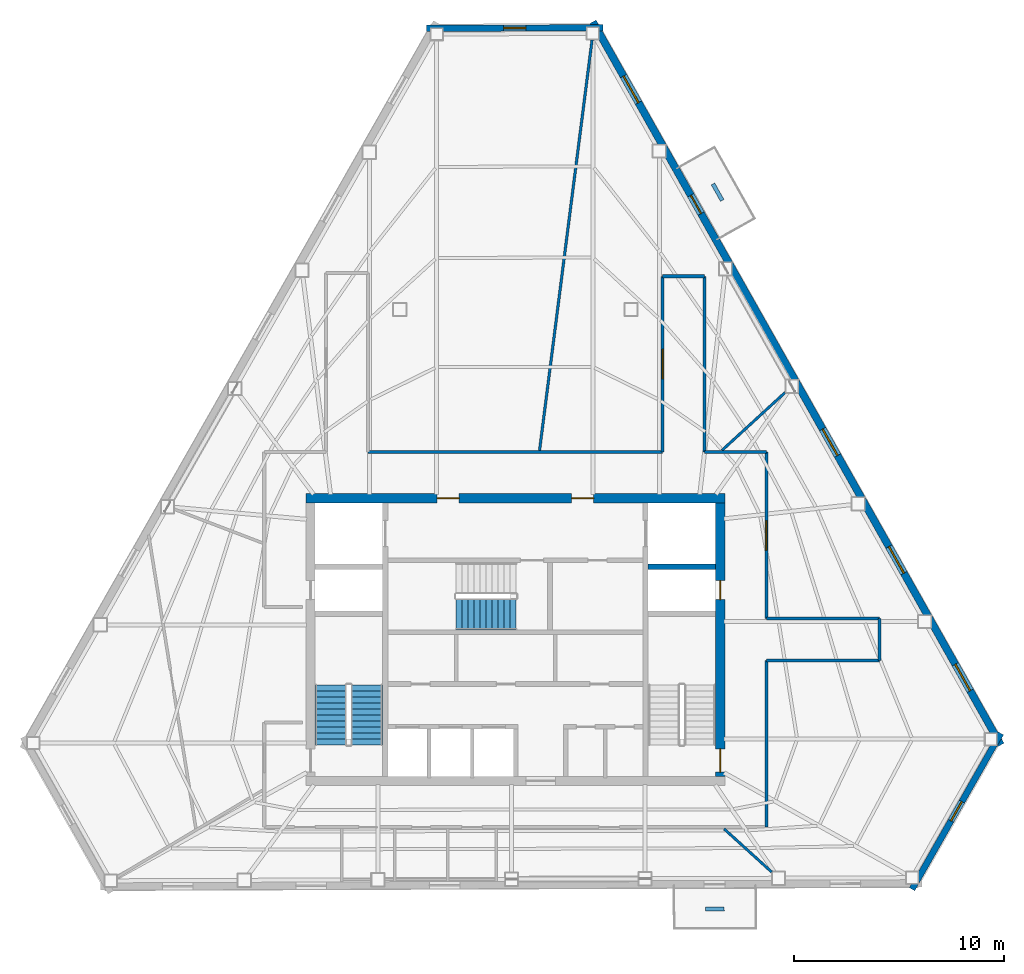
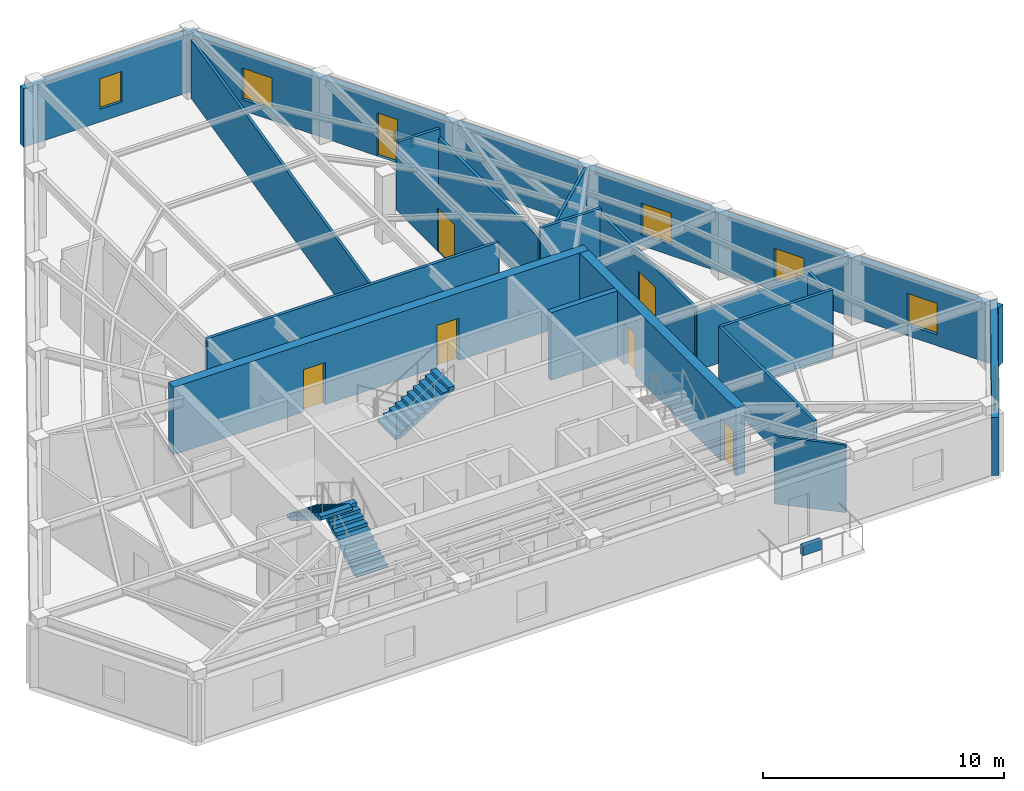
# One storey, part 8 of 10: 21 walls, 7 doors, 6 windows, 3 stair flights, 13 openings, 2 elements without a shape of their own.
"""IFC4 building model written with IfcOpenShell, lengths in metres."""

from ifc_helpers import new_model, si_unit, direction, frame, frame_2d, origin, place, context, subcontext, project, spatial, polyline, rectangle, outline, extrude, material, layer, layer_set, type_object, element, fill, aggregate, save


model = new_model("IFC4")

# Units and contexts
model_context = context("Model", 3, precision=1e-05, world=origin(), true_north=direction((0.0, 1.0)))
body_context = subcontext(model_context, "Body", "Model", "MODEL_VIEW")
ifc_project = project(units=[si_unit("LENGTHUNIT", "METRE"), si_unit("AREAUNIT", "SQUARE_METRE"), si_unit("VOLUMEUNIT", "CUBIC_METRE"), si_unit("PLANEANGLEUNIT", "RADIAN"), si_unit("MASSUNIT", "GRAM", prefix="KILO")], contexts=[model_context])

# Site, building, storey
site_placement = place(None, origin())
site = spatial("IfcSite", under=ifc_project, at=site_placement, CompositionType="ELEMENT")
building_placement = place(site_placement, origin())
building = spatial("IfcBuilding", under=site, at=building_placement, Name="Kavelnor Concourse Tower", CompositionType="ELEMENT")
storey_placement = place(building_placement, frame((0.0, 0.0, 230.449951171875)))
storey = spatial("IfcBuildingStorey", under=building, at=storey_placement, Name="L58", CompositionType="ELEMENT", Elevation=230.449951171875)

# Wall, openings, doors
ifc_material_1 = material(Name="Concrete C50/60", Category="concrete")
ifc_layer_1 = layer(ifc_material_1, 0.43994140625, Name="Concrete C50/60")
ifc_layer_set_1 = layer_set([ifc_layer_1], Name="Concrete C50/60")
wall_type_1 = type_object("IfcWallType", Name="WL-CORE-Z3-440", PredefinedType="SOLIDWALL", material=ifc_layer_set_1)
wall_1_placement = place(storey_placement, frame((28.0400390625, 22.820068359375, 0.0), z_axis=(0.0, 0.0, 1.0), x_axis=(1.0, 0.0, 0.0)))
wall_1 = element("IfcWall", 1, at=wall_1_placement, inside=storey, type_object=wall_type_1, Name="L58 Central Core North Shear Wall", PredefinedType="SOLIDWALL", context=body_context, shape_type="SweptSolid", body=[
    extrude(rectangle(XDim=19.919921875, YDim=0.43994140625, at=frame_2d((9.9599609375, 0.0))), origin(), (0.0, 0.0, 1.0), 3.429931640625),
])
opening_1_placement = place(wall_1_placement, frame((6.235107421875, 0.0, 0.0)))
opening_1 = element("IfcOpeningElement", 2, at=opening_1_placement, cuts=wall_1, Name="Opening FD-105", PredefinedType="OPENING", context=body_context, shape_type="SweptSolid", body=[
    extrude(rectangle(XDim=1.050048828125, YDim=2.14990234375, at=frame_2d((0.52490234375, 1.074951171875))), frame((0.0, 0.22998046875, 0.0), z_axis=(0.0, -1.0, 0.0), x_axis=(1.0, 0.0, 0.0)), (0.0, 0.0, 1.0), 0.4599609375),
])
opening_2_placement = place(wall_1_placement, frame((12.635009765625, 0.0, 0.0)))
opening_2 = element("IfcOpeningElement", 3, at=opening_2_placement, cuts=wall_1, Name="Opening FD-105", PredefinedType="OPENING", context=body_context, shape_type="SweptSolid", body=[
    extrude(rectangle(XDim=1.050048828125, YDim=2.14990234375, at=frame_2d((0.52490234375, 1.074951171875))), frame((0.0, 0.22998046875, 0.0), z_axis=(0.0, -1.0, 0.0), x_axis=(1.0, 0.0, 0.0)), (0.0, 0.0, 1.0), 0.4599609375),
])
ifc_material_2 = material(Name="Steel Grade 350", Category="steel")
door_type_1 = type_object("IfcDoorType", Name="DR-LOBBY-FIRE-1050", OperationType="NOTDEFINED", PredefinedType="DOOR", material=ifc_material_2)
door_1_placement = place(opening_1_placement, origin())
door_1 = element("IfcDoor", 4, at=door_1_placement, inside=storey, type_object=door_type_1, Name="L58 Emergency Lift Lobby West Door", OperationType="SINGLE_SWING_LEFT", OverallHeight=2.14990234375, OverallWidth=1.050048828125, PredefinedType="DOOR", context=body_context, shape_type="SweptSolid", body=[
    extrude(rectangle(XDim=1.050048828125, YDim=2.14990234375, at=frame_2d((0.52490234375, 1.074951171875))), frame((0.0, 0.02490234375, 0.0), z_axis=(0.0, -1.0, 0.0), x_axis=(1.0, 0.0, 0.0)), (0.0, 0.0, 1.0), 0.050048828125),
])
fill(opening_1, door_1)
door_2_placement = place(opening_2_placement, origin())
door_2 = element("IfcDoor", 5, at=door_2_placement, inside=storey, type_object=door_type_1, Name="L58 Emergency Lift Lobby East Door", OperationType="SINGLE_SWING_RIGHT", OverallHeight=2.14990234375, OverallWidth=1.050048828125, PredefinedType="DOOR", context=body_context, shape_type="SweptSolid", body=[
    extrude(rectangle(XDim=1.050048828125, YDim=2.14990234375, at=frame_2d((0.52490234375, 1.074951171875))), frame((0.0, 0.02490234375, 0.0), z_axis=(0.0, -1.0, 0.0), x_axis=(1.0, 0.0, 0.0)), (0.0, 0.0, 1.0), 0.050048828125),
])
fill(opening_2, door_2)

wall_2_placement = place(storey_placement, frame((47.739990234375, 9.60009765625, 0.0), z_axis=(0.0, 0.0, 1.0), x_axis=(0.0, 1.0, 0.0)))
wall_2 = element("IfcWall", 6, at=wall_2_placement, inside=storey, type_object=wall_type_1, Name="L58 Central Core East Shear Wall", PredefinedType="SOLIDWALL", context=body_context, shape_type="SweptSolid", body=[
    extrude(rectangle(XDim=13.0, YDim=0.43994140625, at=frame_2d((6.5, 0.0))), origin(), (0.0, 0.0, 1.0), 3.429931640625),
])
opening_3_placement = place(wall_2_placement, frame((0.199951171875, 0.0, 0.0)))
opening_3 = element("IfcOpeningElement", 7, at=opening_3_placement, cuts=wall_2, Name="Opening FD-110", PredefinedType="OPENING", context=body_context, shape_type="SweptSolid", body=[
    extrude(rectangle(XDim=1.10009765625, YDim=2.14990234375, at=frame_2d((0.550048828125, 1.074951171875))), frame((0.0, 0.22998046875, 0.0), z_axis=(0.0, -1.0, 0.0), x_axis=(1.0, 0.0, 0.0)), (0.0, 0.0, 1.0), 0.4599609375),
])
opening_4_placement = place(wall_2_placement, frame((8.39990234375, 0.0, 0.0)))
opening_4 = element("IfcOpeningElement", 8, at=opening_4_placement, cuts=wall_2, Name="Opening FD-090", PredefinedType="OPENING", context=body_context, shape_type="SweptSolid", body=[
    extrude(rectangle(XDim=0.89990234375, YDim=2.10009765625, at=frame_2d((0.449951171875, 1.050048828125))), frame((0.0, 0.22998046875, 0.0), z_axis=(0.0, -1.0, 0.0), x_axis=(1.0, 0.0, 0.0)), (0.0, 0.0, 1.0), 0.4599609375),
])
door_type_2 = type_object("IfcDoorType", Name="DR-RISER-FIRE-900", OperationType="NOTDEFINED", PredefinedType="DOOR", material=ifc_material_2)
door_3_placement = place(opening_4_placement, origin())
door_3 = element("IfcDoor", 9, at=door_3_placement, inside=storey, type_object=door_type_2, Name="L58 East Riser Access Door", OperationType="SINGLE_SWING_LEFT", OverallHeight=2.10009765625, OverallWidth=0.89990234375, PredefinedType="DOOR", context=body_context, shape_type="SweptSolid", body=[
    extrude(rectangle(XDim=0.89990234375, YDim=2.10009765625, at=frame_2d((0.449951171875, 1.050048828125))), frame((0.0, 0.02490234375, 0.0), z_axis=(0.0, -1.0, 0.0), x_axis=(1.0, 0.0, 0.0)), (0.0, 0.0, 1.0), 0.050048828125),
])
fill(opening_4, door_3)
door_type_3 = type_object("IfcDoorType", Name="DR-STAIR-FIRE-1100", OperationType="NOTDEFINED", PredefinedType="DOOR", material=ifc_material_2)
door_4_placement = place(opening_3_placement, origin())
door_4 = element("IfcDoor", 10, at=door_4_placement, inside=storey, type_object=door_type_3, Name="L58 Stair ST2 Fire Door", OperationType="SINGLE_SWING_RIGHT", OverallHeight=2.14990234375, OverallWidth=1.10009765625, PredefinedType="DOOR", context=body_context, shape_type="SweptSolid", body=[
    extrude(rectangle(XDim=1.10009765625, YDim=2.14990234375, at=frame_2d((0.550048828125, 1.074951171875))), frame((0.0, 0.02490234375, 0.0), z_axis=(0.0, -1.0, 0.0), x_axis=(1.0, 0.0, 0.0)), (0.0, 0.0, 1.0), 0.050048828125),
])
fill(opening_3, door_4)

# Wall, opening, window
ifc_material_3 = material(Name="Buff ironspot clay face brick masonry", Category="masonry")
ifc_layer_2 = layer(ifc_material_3, 0.300048828125, Name="Buff ironspot clay face brick masonry")
ifc_layer_set_2 = layer_set([ifc_layer_2], Name="Buff ironspot clay face brick masonry")
wall_type_2 = type_object("IfcWallType", Name="WL-EXT-BUFF-BRICK-FOLD-300", PredefinedType="STANDARD", material=ifc_layer_set_2)
wall_3_placement = place(storey_placement, frame((33.777587890625, 45.1669921875, 0.0), z_axis=(0.0, 0.0, 1.0), x_axis=(0.999992288354, 0.003927242442, 0.0)))
wall_3 = element("IfcWall", 11, at=wall_3_placement, inside=storey, type_object=wall_type_2, Name="L58 Exterior Brick Facade Wall E0", PredefinedType="STANDARD", context=body_context, shape_type="SweptSolid", body=[
    extrude(rectangle(XDim=8.392333984375, YDim=0.300048828125, at=frame_2d((4.1962890625, 0.0))), origin(), (0.0, 0.0, 1.0), 2.962158203125),
])
opening_5_placement = place(wall_3_placement, frame((3.67138671875, 0.0, 0.64990234375)))
opening_5 = element("IfcOpeningElement", 12, at=opening_5_placement, cuts=wall_3, Name="Opening W-06", PredefinedType="OPENING", context=body_context, shape_type="SweptSolid", body=[
    extrude(rectangle(XDim=1.050048828125, YDim=1.550048828125, at=frame_2d((0.52490234375, 0.77490234375))), frame((0.0, 0.16015625, 0.0), z_axis=(0.0, -1.0, 0.0), x_axis=(1.0, 0.0, 0.0)), (0.0, 0.0, 1.0), 0.320068359375),
])
ifc_material_4 = material(Name="Double low-E argon insulated glazing", Category="glass")
window_type_1 = type_object("IfcWindowType", Name="WIN-FOLD-1050", PartitioningType="SINGLE_PANEL", PredefinedType="WINDOW", material=ifc_material_4)
window_1_placement = place(opening_5_placement, origin())
window_1 = element("IfcWindow", 13, at=window_1_placement, inside=storey, type_object=window_type_1, Name="L58 Chamfer-Fold Facet Window C0", OverallHeight=1.550048828125, OverallWidth=1.050048828125, PartitioningType="SINGLE_PANEL", PredefinedType="WINDOW", context=body_context, shape_type="SweptSolid", body=[
    extrude(rectangle(XDim=1.050048828125, YDim=1.550048828125, at=frame_2d((0.52490234375, 0.77490234375))), frame((0.0, 0.030029296875, 0.0), z_axis=(0.0, -1.0, 0.0), x_axis=(1.0, 0.0, 0.0)), (0.0, 0.0, 1.0), 0.06005859375),
])
fill(opening_5, window_1)

wall_4_placement = place(storey_placement, frame((61.0869140625, 11.6455078125, 0.0), z_axis=(0.0, 0.0, 1.0), x_axis=(-0.49469007423, -0.86906946239, 0.0)))
wall_4 = element("IfcWall", 14, at=wall_4_placement, inside=storey, type_object=wall_type_2, Name="L58 Exterior Brick Facade Wall E4", PredefinedType="STANDARD", context=body_context, shape_type="SweptSolid", body=[
    extrude(rectangle(XDim=8.532958984375, YDim=0.300048828125, at=frame_2d((4.2666015625, 0.0))), origin(), (0.0, 0.0, 1.0), 2.962158203125),
])
opening_6_placement = place(wall_4_placement, frame((3.741455078125, 0.0, 0.64990234375)))
opening_6 = element("IfcOpeningElement", 15, at=opening_6_placement, cuts=wall_4, Name="Opening W-06", PredefinedType="OPENING", context=body_context, shape_type="SweptSolid", body=[
    extrude(rectangle(XDim=1.050048828125, YDim=1.550048828125, at=frame_2d((0.52490234375, 0.77490234375))), frame((0.0, 0.16015625, 0.0), z_axis=(0.0, -1.0, 0.0), x_axis=(1.0, 0.0, 0.0)), (0.0, 0.0, 1.0), 0.320068359375),
])
window_2_placement = place(opening_6_placement, origin())
window_2 = element("IfcWindow", 16, at=window_2_placement, inside=storey, type_object=window_type_1, Name="L58 Chamfer-Fold Facet Window C2", OverallHeight=1.550048828125, OverallWidth=1.050048828125, PartitioningType="SINGLE_PANEL", PredefinedType="WINDOW", context=body_context, shape_type="SweptSolid", body=[
    extrude(rectangle(XDim=1.050048828125, YDim=1.550048828125, at=frame_2d((0.52490234375, 0.77490234375))), frame((0.0, 0.030029296875, 0.0), z_axis=(0.0, -1.0, 0.0), x_axis=(1.0, 0.0, 0.0)), (0.0, 0.0, 1.0), 0.06005859375),
])
fill(opening_6, window_2)

# Wall, openings, door, windows
ifc_material_5 = material(Name="Red-ochre clay face brick masonry", Category="masonry")
ifc_layer_3 = layer(ifc_material_5, 0.35009765625, Name="Red-ochre clay face brick masonry")
ifc_layer_set_3 = layer_set([ifc_layer_3], Name="Red-ochre clay face brick masonry")
wall_type_3 = type_object("IfcWallType", Name="WL-EXT-RED-BRICK-PIER-350", PredefinedType="STANDARD", material=ifc_layer_set_3)
wall_5_placement = place(storey_placement, frame((41.68798828125, 45.47998046875, 0.0), z_axis=(0.0, 0.0, 1.0), x_axis=(0.491295447758, -0.870992986775, 0.0)))
wall_5 = element("IfcWall", 17, at=wall_5_placement, inside=storey, type_object=wall_type_3, Name="L58 Exterior Brick Facade Wall E5", PredefinedType="STANDARD", context=body_context, shape_type="SweptSolid", body=[
    extrude(rectangle(XDim=39.483154296875, YDim=0.35009765625, at=frame_2d((19.74169921875, 0.0))), origin(), (0.0, 0.0, 1.0), 2.962158203125),
])
opening_7_placement = place(wall_5_placement, frame((9.470703125, 0.0, 0.0)))
opening_7 = element("IfcOpeningElement", 18, at=opening_7_placement, cuts=wall_5, Name="Opening BD-100", PredefinedType="OPENING", context=body_context, shape_type="SweptSolid", body=[
    extrude(rectangle(XDim=1.0, YDim=2.199951171875, at=frame_2d((0.5, 1.10009765625))), frame((0.0, 0.18505859375, 0.0), z_axis=(0.0, -1.0, 0.0), x_axis=(1.0, 0.0, 0.0)), (0.0, 0.0, 1.0), 0.3701171875),
])
opening_8_placement = place(wall_5_placement, frame((35.07568359375, 0.0, 0.550048828125)))
opening_8 = element("IfcOpeningElement", 19, at=opening_8_placement, cuts=wall_5, Name="Opening W-03", PredefinedType="OPENING", context=body_context, shape_type="SweptSolid", body=[
    extrude(rectangle(XDim=1.449951171875, YDim=1.60009765625, at=frame_2d((0.72509765625, 0.800048828125))), frame((0.0, 0.18505859375, 0.0), z_axis=(0.0, -1.0, 0.0), x_axis=(1.0, 0.0, 0.0)), (0.0, 0.0, 1.0), 0.3701171875),
])
opening_9_placement = place(wall_5_placement, frame((28.65380859375, 0.0, 0.550048828125)))
opening_9 = element("IfcOpeningElement", 20, at=opening_9_placement, cuts=wall_5, Name="Opening W-03", PredefinedType="OPENING", context=body_context, shape_type="SweptSolid", body=[
    extrude(rectangle(XDim=1.449951171875, YDim=1.60009765625, at=frame_2d((0.72509765625, 0.800048828125))), frame((0.0, 0.18505859375, 0.0), z_axis=(0.0, -1.0, 0.0), x_axis=(1.0, 0.0, 0.0)), (0.0, 0.0, 1.0), 0.3701171875),
])
opening_10_placement = place(wall_5_placement, frame((22.232421875, 0.0, 0.550048828125)))
opening_10 = element("IfcOpeningElement", 21, at=opening_10_placement, cuts=wall_5, Name="Opening W-03", PredefinedType="OPENING", context=body_context, shape_type="SweptSolid", body=[
    extrude(rectangle(XDim=1.449951171875, YDim=1.60009765625, at=frame_2d((0.72509765625, 0.800048828125))), frame((0.0, 0.18505859375, 0.0), z_axis=(0.0, -1.0, 0.0), x_axis=(1.0, 0.0, 0.0)), (0.0, 0.0, 1.0), 0.3701171875),
])
opening_11_placement = place(wall_5_placement, frame((2.96728515625, 0.0, 0.550048828125)))
opening_11 = element("IfcOpeningElement", 22, at=opening_11_placement, cuts=wall_5, Name="Opening W-03", PredefinedType="OPENING", context=body_context, shape_type="SweptSolid", body=[
    extrude(rectangle(XDim=1.449951171875, YDim=1.60009765625, at=frame_2d((0.72509765625, 0.800048828125))), frame((0.0, 0.18505859375, 0.0), z_axis=(0.0, -1.0, 0.0), x_axis=(1.0, 0.0, 0.0)), (0.0, 0.0, 1.0), 0.3701171875),
])
ifc_material_6 = material(Name="Anodised aluminium 6063-T6", Category="aluminium")
door_type_4 = type_object("IfcDoorType", Name="DR-BALCONY-EXT-1000", OperationType="NOTDEFINED", PredefinedType="DOOR", material=ifc_material_6)
door_5_placement = place(opening_7_placement, origin())
door_5 = element("IfcDoor", 23, at=door_5_placement, inside=storey, type_object=door_type_4, Name="L58 Tree Balcony 2 Glazed Door", OperationType="SINGLE_SWING_RIGHT", OverallHeight=2.199951171875, OverallWidth=1.0, PredefinedType="DOOR", context=body_context, shape_type="SweptSolid", body=[
    extrude(rectangle(XDim=1.0, YDim=2.199951171875, at=frame_2d((0.5, 1.10009765625))), frame((0.0, 0.02490234375, 0.0), z_axis=(0.0, -1.0, 0.0), x_axis=(1.0, 0.0, 0.0)), (0.0, 0.0, 1.0), 0.050048828125),
])
fill(opening_7, door_5)
window_type_2 = type_object("IfcWindowType", Name="WIN-PIER-Z3-1500", PartitioningType="SINGLE_PANEL", PredefinedType="WINDOW", material=ifc_material_4)
window_3_placement = place(opening_8_placement, origin())
window_3 = element("IfcWindow", 24, at=window_3_placement, inside=storey, type_object=window_type_2, Name="L58 Deep-Set Brick Pier Window F2-B0", OverallHeight=1.60009765625, OverallWidth=1.449951171875, PartitioningType="SINGLE_PANEL", PredefinedType="WINDOW", context=body_context, shape_type="SweptSolid", body=[
    extrude(rectangle(XDim=1.449951171875, YDim=1.60009765625, at=frame_2d((0.72509765625, 0.800048828125))), frame((0.0, 0.030029296875, 0.0), z_axis=(0.0, -1.0, 0.0), x_axis=(1.0, 0.0, 0.0)), (0.0, 0.0, 1.0), 0.06005859375),
])
fill(opening_8, window_3)
window_4_placement = place(opening_9_placement, origin())
window_4 = element("IfcWindow", 25, at=window_4_placement, inside=storey, type_object=window_type_2, Name="L58 Deep-Set Brick Pier Window F2-B1", OverallHeight=1.60009765625, OverallWidth=1.449951171875, PartitioningType="SINGLE_PANEL", PredefinedType="WINDOW", context=body_context, shape_type="SweptSolid", body=[
    extrude(rectangle(XDim=1.449951171875, YDim=1.60009765625, at=frame_2d((0.72509765625, 0.800048828125))), frame((0.0, 0.030029296875, 0.0), z_axis=(0.0, -1.0, 0.0), x_axis=(1.0, 0.0, 0.0)), (0.0, 0.0, 1.0), 0.06005859375),
])
fill(opening_9, window_4)
window_5_placement = place(opening_10_placement, origin())
window_5 = element("IfcWindow", 26, at=window_5_placement, inside=storey, type_object=window_type_2, Name="L58 Deep-Set Brick Pier Window F2-B2", OverallHeight=1.60009765625, OverallWidth=1.449951171875, PartitioningType="SINGLE_PANEL", PredefinedType="WINDOW", context=body_context, shape_type="SweptSolid", body=[
    extrude(rectangle(XDim=1.449951171875, YDim=1.60009765625, at=frame_2d((0.72509765625, 0.800048828125))), frame((0.0, 0.030029296875, 0.0), z_axis=(0.0, -1.0, 0.0), x_axis=(1.0, 0.0, 0.0)), (0.0, 0.0, 1.0), 0.06005859375),
])
fill(opening_10, window_5)
window_6_placement = place(opening_11_placement, origin())
window_6 = element("IfcWindow", 27, at=window_6_placement, inside=storey, type_object=window_type_2, Name="L58 Deep-Set Brick Pier Window F2-B5", OverallHeight=1.60009765625, OverallWidth=1.449951171875, PartitioningType="SINGLE_PANEL", PredefinedType="WINDOW", context=body_context, shape_type="SweptSolid", body=[
    extrude(rectangle(XDim=1.449951171875, YDim=1.60009765625, at=frame_2d((0.72509765625, 0.800048828125))), frame((0.0, 0.030029296875, 0.0), z_axis=(0.0, -1.0, 0.0), x_axis=(1.0, 0.0, 0.0)), (0.0, 0.0, 1.0), 0.06005859375),
])
fill(opening_11, window_6)

# Wall
ifc_material_7 = material(Name="Gypsum plasterboard on light-gauge steel studs", Category="steel")
ifc_layer_4 = layer(ifc_material_7, 0.14501953125, Name="Gypsum plasterboard on light-gauge steel studs")
ifc_layer_set_4 = layer_set([ifc_layer_4], Name="Gypsum plasterboard on light-gauge steel studs")
wall_type_4 = type_object("IfcWallType", Name="WL-INT-CORR-145", PredefinedType="PARTITIONING", material=ifc_layer_set_4)
wall_6_placement = place(storey_placement, frame((31.0, 25.02001953125, 0.0), z_axis=(0.0, 0.0, 1.0), x_axis=(1.0, 0.0, 0.0)))
element("IfcWall", 28, at=wall_6_placement, inside=storey, type_object=wall_type_4, Name="L58 Corridor Wall WL-L58-CR-07", PredefinedType="PARTITIONING", context=body_context, shape_type="SweptSolid", body=[
    extrude(rectangle(XDim=14.0, YDim=0.14501953125, at=frame_2d((7.0, 0.0))), origin(), (0.0, 0.0, 1.0), 3.429931640625),
])

# Wall, opening, door
wall_7_placement = place(storey_placement, frame((45.0, 25.02001953125, 0.0), z_axis=(0.0, 0.0, 1.0), x_axis=(0.0, 1.0, 0.0)))
wall_7 = element("IfcWall", 29, at=wall_7_placement, inside=storey, type_object=wall_type_4, Name="L58 Corridor Wall WL-L58-CR-08", PredefinedType="PARTITIONING", context=body_context, shape_type="SweptSolid", body=[
    extrude(rectangle(XDim=8.35986328125, YDim=0.14501953125, at=frame_2d((4.179931640625, 0.0))), origin(), (0.0, 0.0, 1.0), 2.970947265625),
])
opening_12_placement = place(wall_7_placement, frame((3.47998046875, 0.0, 0.0)))
opening_12 = element("IfcOpeningElement", 30, at=opening_12_placement, cuts=wall_7, Name="Opening SD-140", PredefinedType="OPENING", context=body_context, shape_type="SweptSolid", body=[
    extrude(rectangle(XDim=1.39990234375, YDim=2.199951171875, at=frame_2d((0.699951171875, 1.10009765625))), frame((0.0, 0.08251953125, 0.0), z_axis=(0.0, -1.0, 0.0), x_axis=(1.0, 0.0, 0.0)), (0.0, 0.0, 1.0), 0.1650390625),
])
ifc_material_8 = material(Name="Solid-core hardwood timber", Category="wood")
door_type_5 = type_object("IfcDoorType", Name="DR-SUITE-ENTRY-1400", OperationType="NOTDEFINED", PredefinedType="DOOR", material=ifc_material_8)
door_6_placement = place(opening_12_placement, origin())
door_6 = element("IfcDoor", 31, at=door_6_placement, inside=storey, type_object=door_type_5, Name="L58 Building Staff Breakroom 01 Door", OperationType="SINGLE_SWING_RIGHT", OverallHeight=2.199951171875, OverallWidth=1.39990234375, PredefinedType="DOOR", context=body_context, shape_type="SweptSolid", body=[
    extrude(rectangle(XDim=1.39990234375, YDim=2.199951171875, at=frame_2d((0.699951171875, 1.10009765625))), frame((0.0, 0.02490234375, 0.0), z_axis=(0.0, -1.0, 0.0), x_axis=(1.0, 0.0, 0.0)), (0.0, 0.0, 1.0), 0.050048828125),
])
fill(opening_12, door_6)

# Walls
wall_8_placement = place(storey_placement, frame((45.0, 33.3798828125, 0.0), z_axis=(0.0, 0.0, 1.0), x_axis=(1.0, 0.0, 0.0)))
element("IfcWall", 32, at=wall_8_placement, inside=storey, type_object=wall_type_4, Name="L58 Corridor Wall WL-L58-CR-09", PredefinedType="PARTITIONING", context=body_context, shape_type="SweptSolid", body=[
    extrude(rectangle(XDim=2.0, YDim=0.14501953125, at=frame_2d((1.0, 0.0))), origin(), (0.0, 0.0, 1.0), 3.429931640625),
])
wall_9_placement = place(storey_placement, frame((47.0, 33.3798828125, 0.0), z_axis=(0.0, 0.0, 1.0), x_axis=(0.0, -1.0, 0.0)))
element("IfcWall", 33, at=wall_9_placement, inside=storey, type_object=wall_type_4, Name="L58 Corridor Wall WL-L58-CR-10", PredefinedType="PARTITIONING", context=body_context, shape_type="SweptSolid", body=[
    extrude(rectangle(XDim=8.35986328125, YDim=0.14501953125, at=frame_2d((4.179931640625, 0.0))), origin(), (0.0, 0.0, 1.0), 2.970947265625),
])
wall_10_placement = place(storey_placement, frame((47.0, 25.02001953125, 0.0), z_axis=(0.0, 0.0, 1.0), x_axis=(1.0, 0.0, 0.0)))
element("IfcWall", 34, at=wall_10_placement, inside=storey, type_object=wall_type_4, Name="L58 Corridor Wall WL-L58-CR-11", PredefinedType="PARTITIONING", context=body_context, shape_type="SweptSolid", body=[
    extrude(rectangle(XDim=2.93994140625, YDim=0.14501953125, at=frame_2d((1.469970703125, 0.0))), origin(), (0.0, 0.0, 1.0), 3.429931640625),
])

# Wall, opening, door
wall_11_placement = place(storey_placement, frame((49.93994140625, 25.02001953125, 0.0), z_axis=(0.0, 0.0, 1.0), x_axis=(0.0, -1.0, 0.0)))
wall_11 = element("IfcWall", 35, at=wall_11_placement, inside=storey, type_object=wall_type_4, Name="L58 Corridor Wall WL-L58-CR-12", PredefinedType="PARTITIONING", context=body_context, shape_type="SweptSolid", body=[
    extrude(rectangle(XDim=7.919921875, YDim=0.14501953125, at=frame_2d((3.9599609375, 0.0))), origin(), (0.0, 0.0, 1.0), 3.1689453125),
])
opening_13_placement = place(wall_11_placement, frame((3.260009765625, 0.0, 0.0)))
opening_13 = element("IfcOpeningElement", 36, at=opening_13_placement, cuts=wall_11, Name="Opening SD-140", PredefinedType="OPENING", context=body_context, shape_type="SweptSolid", body=[
    extrude(rectangle(XDim=1.39990234375, YDim=2.199951171875, at=frame_2d((0.699951171875, 1.10009765625))), frame((0.0, 0.08251953125, 0.0), z_axis=(0.0, -1.0, 0.0), x_axis=(1.0, 0.0, 0.0)), (0.0, 0.0, 1.0), 0.1650390625),
])
door_7_placement = place(opening_13_placement, origin())
door_7 = element("IfcDoor", 37, at=door_7_placement, inside=storey, type_object=door_type_5, Name="L58 Technical Reference Library 07 Door", OperationType="SINGLE_SWING_RIGHT", OverallHeight=2.199951171875, OverallWidth=1.39990234375, PredefinedType="DOOR", context=body_context, shape_type="SweptSolid", body=[
    extrude(rectangle(XDim=1.39990234375, YDim=2.199951171875, at=frame_2d((0.699951171875, 1.10009765625))), frame((0.0, 0.02490234375, 0.0), z_axis=(0.0, -1.0, 0.0), x_axis=(1.0, 0.0, 0.0)), (0.0, 0.0, 1.0), 0.050048828125),
])
fill(opening_13, door_7)

# Walls
wall_12_placement = place(storey_placement, frame((49.93994140625, 17.10009765625, 0.0), z_axis=(0.0, 0.0, 1.0), x_axis=(1.0, 0.0, 0.0)))
element("IfcWall", 38, at=wall_12_placement, inside=storey, type_object=wall_type_4, Name="L58 Corridor Wall WL-L58-CR-13", PredefinedType="PARTITIONING", context=body_context, shape_type="SweptSolid", body=[
    extrude(rectangle(XDim=5.37109375, YDim=0.14501953125, at=frame_2d((2.685546875, 0.0))), origin(), (0.0, 0.0, 1.0), 2.970947265625),
])
wall_13_placement = place(storey_placement, frame((55.31103515625, 17.10009765625, 0.0), z_axis=(0.0, 0.0, 1.0), x_axis=(0.0, -1.0, 0.0)))
element("IfcWall", 39, at=wall_13_placement, inside=storey, type_object=wall_type_4, Name="L58 Corridor Wall WL-L58-CR-14", PredefinedType="PARTITIONING", context=body_context, shape_type="SweptSolid", body=[
    extrude(rectangle(XDim=2.0, YDim=0.14501953125, at=frame_2d((1.0, 0.0))), origin(), (0.0, 0.0, 1.0), 3.1689453125),
])
wall_14_placement = place(storey_placement, frame((55.31103515625, 15.10009765625, 0.0), z_axis=(0.0, 0.0, 1.0), x_axis=(-1.0, 0.0, 0.0)))
element("IfcWall", 40, at=wall_14_placement, inside=storey, type_object=wall_type_4, Name="L58 Corridor Wall WL-L58-CR-15", PredefinedType="PARTITIONING", context=body_context, shape_type="SweptSolid", body=[
    extrude(rectangle(XDim=5.37109375, YDim=0.14501953125, at=frame_2d((2.685546875, 0.0))), origin(), (0.0, 0.0, 1.0), 3.429931640625),
])
wall_15_placement = place(storey_placement, frame((49.93994140625, 15.10009765625, 0.0), z_axis=(0.0, 0.0, 1.0), x_axis=(0.0, -1.0, 0.0)))
element("IfcWall", 41, at=wall_15_placement, inside=storey, type_object=wall_type_4, Name="L58 Corridor Wall WL-L58-CR-16", PredefinedType="PARTITIONING", context=body_context, shape_type="SweptSolid", body=[
    extrude(rectangle(XDim=7.920166015625, YDim=0.14501953125, at=frame_2d((3.9599609375, 0.0))), origin(), (0.0, 0.0, 1.0), 3.429931640625),
])
ifc_layer_5 = layer(ifc_material_7, 0.125, Name="Gypsum plasterboard on light-gauge steel studs")
ifc_layer_set_5 = layer_set([ifc_layer_5], Name="Gypsum plasterboard on light-gauge steel studs")
wall_type_5 = type_object("IfcWallType", Name="WL-INT-SUITE-125", PredefinedType="PARTITIONING", material=ifc_layer_set_5)
wall_16_placement = place(storey_placement, frame((47.826416015625, 25.1005859375, 0.0), z_axis=(0.0, 0.0, 1.0), x_axis=(0.737455521612, 0.67539570153, 0.0)))
element("IfcWall", 42, at=wall_16_placement, inside=storey, type_object=wall_type_5, Name="L58 Radial Suite Partition 01", PredefinedType="PARTITIONING", context=body_context, shape_type="SweptSolid", body=[
    extrude(rectangle(XDim=4.067626953125, YDim=0.125, at=frame_2d((2.03369140625, 0.0))), origin(), (0.0, 0.0, 1.0), 3.429931640625),
])
wall_17_placement = place(storey_placement, frame((39.15185546875, 25.1005859375, 0.0), z_axis=(0.0, 0.0, 1.0), x_axis=(0.126953686854, 0.99190864569, 0.0)))
element("IfcWall", 43, at=wall_17_placement, inside=storey, type_object=wall_type_5, Name="L58 Radial Suite Partition 02", PredefinedType="PARTITIONING", context=body_context, shape_type="SweptSolid", body=[
    extrude(rectangle(XDim=19.6787109375, YDim=0.125, at=frame_2d((9.83935546875, 0.0))), origin(), (0.0, 0.0, 1.0), 2.970947265625),
])
wall_18_placement = place(storey_placement, frame((47.928955078125, 7.099609375, 0.0), z_axis=(0.0, 0.0, 1.0), x_axis=(0.740877413659, -0.671640274202, 0.0)))
element("IfcWall", 44, at=wall_18_placement, inside=storey, type_object=wall_type_5, Name="L58 Radial Suite Partition 05", PredefinedType="PARTITIONING", context=body_context, shape_type="SweptSolid", body=[
    extrude(rectangle(XDim=3.050048828125, YDim=0.125, at=frame_2d((1.52490234375, 0.0))), origin(), (0.0, 0.0, 1.0), 3.429931640625),
])
ifc_material_9 = material(Name="Architectural precast planter concrete C40/50", Category="concrete")
ifc_layer_6 = layer(ifc_material_9, 0.18994140625, Name="Architectural precast planter concrete C40/50")
ifc_layer_set_6 = layer_set([ifc_layer_6], Name="Architectural precast planter concrete C40/50")
wall_type_6 = type_object("IfcWallType", Name="WL-PLANTER-KERB-190", PredefinedType="USERDEFINED", material=ifc_layer_set_6)
for number, where, z_axis, x_axis, name in (
    (45, (47.034912109375, 3.284912109375, 0.0), (0.0, 0.0, 1.0), (0.999991719883, 0.004069418285, 0.0), "L58 Tree Balcony 1 Tree Planter Kerb"),
    (46, (47.83984375, 36.98583984375, 0.0), (0.0, 0.0, 1.0), (-0.491252592378, 0.871017158546, 0.0), "L58 Tree Balcony 2 Tree Planter Kerb"),
):
    element("IfcWall", number, at=place(storey_placement, frame(where, z_axis=z_axis, x_axis=x_axis)), inside=storey, type_object=wall_type_6, Name=name, ObjectType="PLANTER", PredefinedType="USERDEFINED", context=body_context, shape_type="SweptSolid", body=[
        extrude(rectangle(XDim=0.89990234375, YDim=0.18994140625, at=frame_2d((0.449951171875, 0.0))), origin(), (0.0, 0.0, 1.0), 0.5),
    ])
ifc_layer_7 = layer(ifc_material_1, 0.260009765625, Name="Concrete C50/60")
ifc_layer_set_7 = layer_set([ifc_layer_7], Name="Concrete C50/60")
wall_type_7 = type_object("IfcWallType", Name="WL-SHAFT-260", PredefinedType="SHEAR", material=ifc_layer_set_7)
wall_19_placement = place(storey_placement, frame((44.320068359375, 19.570068359375, 0.0), z_axis=(0.0, 0.0, 1.0), x_axis=(1.0, 0.0, 0.0)))
element("IfcWall", 47, at=wall_19_placement, inside=storey, type_object=wall_type_7, Name="L58 Emergency Lift FL2 South Shaft Wall", PredefinedType="SHEAR", context=body_context, shape_type="SweptSolid", body=[
    extrude(rectangle(XDim=3.199951171875, YDim=0.260009765625, at=frame_2d((1.60009765625, 0.0))), origin(), (0.0, 0.0, 1.0), 3.429931640625),
])

# Stair, stair flights
ifc_material_10 = material(Name="Concrete C40/50", Category="concrete")
stair_type = type_object("IfcStairType", Name="STR-CORE-1500", PredefinedType="HALF_TURN_STAIR", material=ifc_material_10)
stair_1_placement = place(storey_placement, origin())
stair_1 = element("IfcStair", 48, at=stair_1_placement, inside=storey, type_object=stair_type, Name="L58 ST1", PredefinedType="HALF_TURN_STAIR")
stair_flight_type = type_object("IfcStairFlightType", Name="STR-FLIGHT-1500", PredefinedType="STRAIGHT", material=ifc_material_10)
stair_flight_1_placement = place(storey_placement, frame((30.929931640625, 11.10009765625, 0.0), z_axis=(0.0, 0.0, 1.0), x_axis=(0.0, 1.0, 0.0)))
stair_flight_1 = element("IfcStairFlight", 49, at=stair_flight_1_placement, type_object=stair_flight_type, Name="ST1 flight 1", NumberOfRisers=11, NumberOfTreads=10, PredefinedType="STRAIGHT", RiserHeight=0.175, TreadLength=0.285, context=body_context, shape_type="SweptSolid", body=[
    extrude(outline(polyline([(0.0, 0.0), (0.0, 0.175048828125), (0.284912109375, 0.175048828125), (0.284912109375, 0.35009765625), (0.570068359375, 0.35009765625), (0.570068359375, 0.52490234375), (0.85498046875, 0.52490234375), (0.85498046875, 0.699951171875), (1.139892578125, 0.699951171875), (1.139892578125, 0.875), (1.425048828125, 0.875), (1.425048828125, 1.050048828125), (1.7099609375, 1.050048828125), (1.7099609375, 1.22509765625), (1.9951171875, 1.22509765625), (1.9951171875, 1.39990234375), (2.280029296875, 1.39990234375), (2.280029296875, 1.574951171875), (2.56494140625, 1.574951171875), (2.56494140625, 1.75), (2.85009765625, 1.75), (2.85009765625, 1.925048828125), (2.85009765625, 1.573974609375), (0.286376953125, 0.0), (0.0, 0.0)])), frame((0.0, 0.75, 0.0), z_axis=(0.0, -1.0, 0.0), x_axis=(1.0, 0.0, 0.0)), (0.0, 0.0, 1.0), 1.5),
])
stair_flight_2_placement = place(storey_placement, frame((29.22998046875, 13.949951171875, 1.925048828125), z_axis=(0.0, 0.0, 1.0), x_axis=(0.0, -1.0, 0.0)))
stair_flight_2 = element("IfcStairFlight", 50, at=stair_flight_2_placement, type_object=stair_flight_type, Name="ST1 flight 2", NumberOfRisers=11, NumberOfTreads=10, PredefinedType="STRAIGHT", RiserHeight=0.175, TreadLength=0.285, context=body_context, shape_type="SweptSolid", body=[
    extrude(outline(polyline([(0.0, 0.0), (0.0, 0.175048828125), (0.284912109375, 0.175048828125), (0.284912109375, 0.35009765625), (0.570068359375, 0.35009765625), (0.570068359375, 0.52490234375), (0.85498046875, 0.52490234375), (0.85498046875, 0.699951171875), (1.139892578125, 0.699951171875), (1.139892578125, 0.875), (1.425048828125, 0.875), (1.425048828125, 1.050048828125), (1.7099609375, 1.050048828125), (1.7099609375, 1.22509765625), (1.9951171875, 1.22509765625), (1.9951171875, 1.39990234375), (2.280029296875, 1.39990234375), (2.280029296875, 1.574951171875), (2.56494140625, 1.574951171875), (2.56494140625, 1.75), (2.85009765625, 1.75), (2.85009765625, 1.925048828125), (2.85009765625, 1.573974609375), (0.286376953125, 0.0), (0.0, 0.0)])), frame((0.0, 0.75, 0.0), z_axis=(0.0, -1.0, 0.0), x_axis=(1.0, 0.0, 0.0)), (0.0, 0.0, 1.0), 1.5),
])
aggregate(stair_1, [stair_flight_1, stair_flight_2])

# Stair, stair flight
stair_2_placement = place(storey_placement, origin())
stair_2 = element("IfcStair", 51, at=stair_2_placement, inside=storey, type_object=stair_type, Name="L58 ST3", PredefinedType="HALF_TURN_STAIR")
stair_flight_3_placement = place(storey_placement, frame((35.18994140625, 17.31005859375, 1.925048828125), z_axis=(0.0, 0.0, 1.0), x_axis=(1.0, 0.0, 0.0)))
stair_flight_3 = element("IfcStairFlight", 52, at=stair_flight_3_placement, type_object=stair_flight_type, Name="ST3 flight 2", NumberOfRisers=11, NumberOfTreads=10, PredefinedType="STRAIGHT", RiserHeight=0.175, TreadLength=0.285, context=body_context, shape_type="SweptSolid", body=[
    extrude(outline(polyline([(0.0, 0.0), (0.0, 0.175048828125), (0.284912109375, 0.175048828125), (0.284912109375, 0.35009765625), (0.570068359375, 0.35009765625), (0.570068359375, 0.52490234375), (0.85498046875, 0.52490234375), (0.85498046875, 0.699951171875), (1.139892578125, 0.699951171875), (1.139892578125, 0.875), (1.425048828125, 0.875), (1.425048828125, 1.050048828125), (1.7099609375, 1.050048828125), (1.7099609375, 1.22509765625), (1.9951171875, 1.22509765625), (1.9951171875, 1.39990234375), (2.280029296875, 1.39990234375), (2.280029296875, 1.574951171875), (2.56494140625, 1.574951171875), (2.56494140625, 1.75), (2.85009765625, 1.75), (2.85009765625, 1.925048828125), (2.85009765625, 1.573974609375), (0.286376953125, 0.0), (0.0, 0.0)])), frame((0.0, 0.75, 0.0), z_axis=(0.0, -1.0, 0.0), x_axis=(1.0, 0.0, 0.0)), (0.0, 0.0, 1.0), 1.5),
])
aggregate(stair_2, [stair_flight_3])

save(model, "model.ifc")
